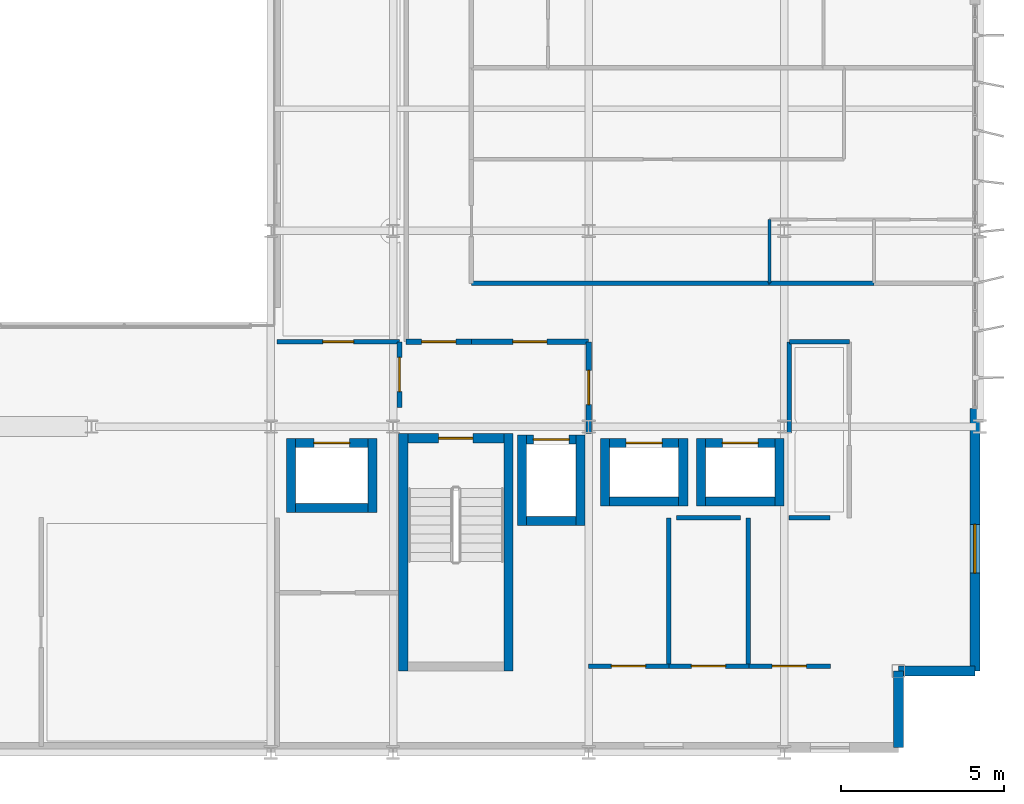
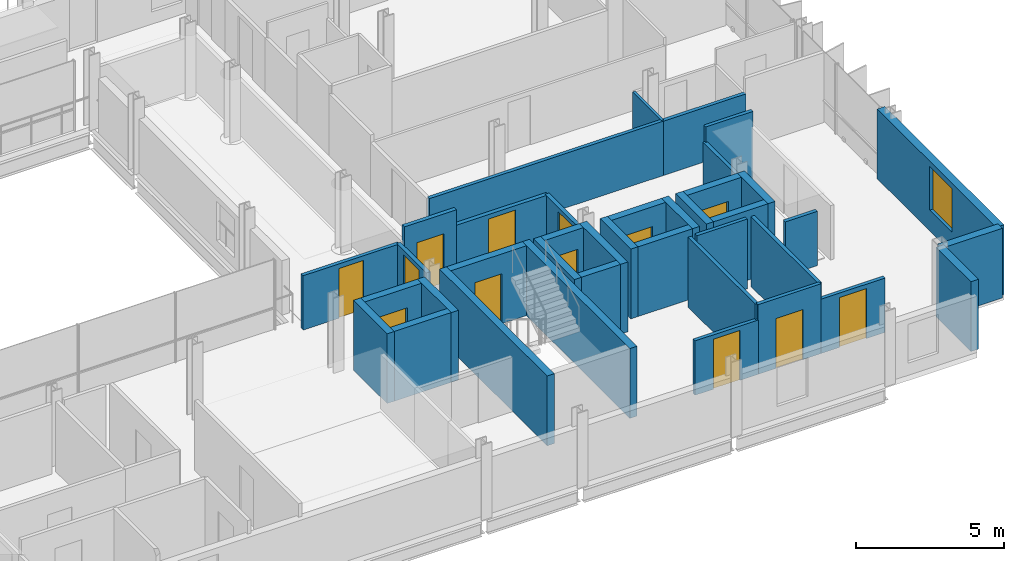
# One storey, part 32 of 40: 39 walls, 13 doors, 1 window, 14 openings.
"""IFC4 building model written with IfcOpenShell, lengths in metres."""

from ifc_helpers import new_model, si_unit, direction, frame, frame_2d, origin, place, context, subcontext, project, spatial, rectangle, extrude, material, layer, layer_set, type_object, element, fill, save


model = new_model("IFC4")

# Units and contexts
model_context = context("Model", 3, precision=1e-05, world=origin(), true_north=direction((0.0, 1.0)))
body_context = subcontext(model_context, "Body", "Model", "MODEL_VIEW")
ifc_project = project(units=[si_unit("LENGTHUNIT", "METRE"), si_unit("AREAUNIT", "SQUARE_METRE"), si_unit("VOLUMEUNIT", "CUBIC_METRE"), si_unit("PLANEANGLEUNIT", "RADIAN"), si_unit("MASSUNIT", "GRAM", prefix="KILO")], contexts=[model_context])

# Site, building, storey
site_placement = place(None, origin())
site = spatial("IfcSite", under=ifc_project, at=site_placement, CompositionType="ELEMENT")
building_placement = place(site_placement, origin())
building = spatial("IfcBuilding", under=site, at=building_placement, Name="Brevholm Reach", CompositionType="ELEMENT")
storey_placement = place(building_placement, frame((0.0, 0.0, 148.0)))
storey = spatial("IfcBuildingStorey", under=building, at=storey_placement, Name="L44", CompositionType="ELEMENT", Elevation=148.0)

# Walls
ifc_material_1 = material(Name="Concrete C50/60", Category="concrete")
ifc_layer_1 = layer(ifc_material_1, 0.280029296875)
ifc_layer_set_1 = layer_set([ifc_layer_1], Name="Concrete C50/60")
wall_type_1 = type_object("IfcWallType", Name="WAL-COR-280", PredefinedType="SHEAR", material=ifc_layer_set_1)
for number, where, z_axis, x_axis, name in (
    (1, (42.31005859375, 2.5, 0.0), (0.0, 0.0, 1.0), (0.0, 1.0, 0.0), "L44 Escape Stair ST-2 Core Wall W"),
    (2, (45.5400390625, 2.5, 0.0), (0.0, 0.0, 1.0), (0.0, 1.0, 0.0), "L44 Escape Stair ST-2 Core Wall E"),
):
    element("IfcWall", number, at=place(storey_placement, frame(where, z_axis=z_axis, x_axis=x_axis)), inside=storey, type_object=wall_type_1, Name=name, PredefinedType="SHEAR", context=body_context, shape_type="SweptSolid", body=[
        extrude(rectangle(XDim=7.280029296875, YDim=0.280029296875, at=frame_2d((3.64013671875, 0.0))), origin(), (0.0, 0.0, 1.0), 2.8798828125),
    ])

# Wall, opening, door
wall_1_placement = place(storey_placement, frame((45.39990234375, 9.639892578125, 0.0), z_axis=(0.0, 0.0, 1.0), x_axis=(-1.0, 0.0, 0.0)))
wall_1 = element("IfcWall", 3, at=wall_1_placement, inside=storey, type_object=wall_type_1, Name="L44 Escape Stair ST-2 Core Wall N", PredefinedType="SHEAR", context=body_context, shape_type="SweptSolid", body=[
    extrude(rectangle(XDim=2.949951171875, YDim=0.280029296875, at=frame_2d((1.47509765625, 0.0))), origin(), (0.0, 0.0, 1.0), 2.8798828125),
])
opening_1_placement = place(wall_1_placement, frame((0.949951171875, 0.0, 0.0)))
opening_1 = element("IfcOpeningElement", 4, at=opening_1_placement, cuts=wall_1, Name="Opening SD-ST-2", PredefinedType="OPENING", context=body_context, shape_type="SweptSolid", body=[
    extrude(rectangle(XDim=1.050048828125, YDim=2.06005859375, at=frame_2d((0.52490234375, 1.030029296875))), frame((0.0, 0.14990234375, 0.0), z_axis=(0.0, -1.0, 0.0), x_axis=(1.0, 0.0, 0.0)), (0.0, 0.0, 1.0), 0.300048828125),
])
ifc_material_2 = material(Name="Hardwood-Lipped Steel-Core Fire and Smoke Door", Category="steel")
door_type_1 = type_object("IfcDoorType", Name="DOR-INT-FD60S", OperationType="NOTDEFINED", PredefinedType="DOOR", material=ifc_material_2)
door_1_placement = place(opening_1_placement, origin())
door_1 = element("IfcDoor", 5, at=door_1_placement, inside=storey, type_object=door_type_1, Name="L44 Protected Stair ST-2 Lobby Door", OperationType="SINGLE_SWING_LEFT", OverallHeight=2.06005859375, OverallWidth=1.050048828125, PredefinedType="DOOR", context=body_context, shape_type="SweptSolid", body=[
    extrude(rectangle(XDim=1.050048828125, YDim=2.06005859375, at=frame_2d((0.52490234375, 1.030029296875))), frame((0.0, 0.02490234375, 0.0), z_axis=(0.0, -1.0, 0.0), x_axis=(1.0, 0.0, 0.0)), (0.0, 0.0, 1.0), 0.050048828125),
])
fill(opening_1, door_1)

# Walls
for number, where, z_axis, x_axis, name in (
    (6, (45.949951171875, 6.9599609375, 0.0), (0.0, 0.0, 1.0), (0.0, 1.0, 0.0), "L44 Lift FFL-2 Shaft Wall W"),
    (7, (47.75, 6.9599609375, 0.0), (0.0, 0.0, 1.0), (0.0, 1.0, 0.0), "L44 Lift FFL-2 Shaft Wall E"),
):
    element("IfcWall", number, at=place(storey_placement, frame(where, z_axis=z_axis, x_axis=x_axis)), inside=storey, type_object=wall_type_1, Name=name, PredefinedType="SHEAR", context=body_context, shape_type="SweptSolid", body=[
        extrude(rectangle(XDim=2.780029296875, YDim=0.280029296875, at=frame_2d((1.39013671875, 0.0))), origin(), (0.0, 0.0, 1.0), 2.8798828125),
    ])
wall_2_placement = place(storey_placement, frame((46.090087890625, 7.10009765625, 0.0), z_axis=(0.0, 0.0, 1.0), x_axis=(1.0, 0.0, 0.0)))
element("IfcWall", 8, at=wall_2_placement, inside=storey, type_object=wall_type_1, Name="L44 Lift FFL-2 Shaft Wall S", PredefinedType="SHEAR", context=body_context, shape_type="SweptSolid", body=[
    extrude(rectangle(XDim=1.52001953125, YDim=0.280029296875, at=frame_2d((0.760009765625, 0.0))), origin(), (0.0, 0.0, 1.0), 2.8798828125),
])

# Wall, opening, door
wall_3_placement = place(storey_placement, frame((46.090087890625, 9.60009765625, 0.0), z_axis=(0.0, 0.0, 1.0), x_axis=(1.0, 0.0, 0.0)))
wall_3 = element("IfcWall", 9, at=wall_3_placement, inside=storey, type_object=wall_type_1, Name="L44 Lift FFL-2 Shaft Wall N", PredefinedType="SHEAR", context=body_context, shape_type="SweptSolid", body=[
    extrude(rectangle(XDim=1.52001953125, YDim=0.280029296875, at=frame_2d((0.760009765625, 0.0))), origin(), (0.0, 0.0, 1.0), 2.8798828125),
])
opening_2_placement = place(wall_3_placement, frame((0.2099609375, 0.0, 0.0)))
opening_2 = element("IfcOpeningElement", 10, at=opening_2_placement, cuts=wall_3, Name="Opening LD-FFL-2", PredefinedType="OPENING", context=body_context, shape_type="SweptSolid", body=[
    extrude(rectangle(XDim=1.10009765625, YDim=2.06005859375, at=frame_2d((0.550048828125, 1.030029296875))), frame((0.0, 0.14990234375, 0.0), z_axis=(0.0, -1.0, 0.0), x_axis=(1.0, 0.0, 0.0)), (0.0, 0.0, 1.0), 0.300048828125),
])
ifc_material_3 = material(Name="Brushed Stainless Steel Fire-Rated Sliding Lift Door", Category="steel")
door_type_2 = type_object("IfcDoorType", Name="DOR-LFT-1100", OperationType="NOTDEFINED", PredefinedType="DOOR", material=ifc_material_3)
door_2_placement = place(opening_2_placement, origin())
door_2 = element("IfcDoor", 11, at=door_2_placement, inside=storey, type_object=door_type_2, Name="L44 Lift FFL-2 Sliding Landing Door", OperationType="SLIDING_TO_LEFT", OverallHeight=2.06005859375, OverallWidth=1.10009765625, PredefinedType="DOOR", context=body_context, shape_type="SweptSolid", body=[
    extrude(rectangle(XDim=1.10009765625, YDim=2.06005859375, at=frame_2d((0.550048828125, 1.030029296875))), frame((0.0, 0.02490234375, 0.0), z_axis=(0.0, -1.0, 0.0), x_axis=(1.0, 0.0, 0.0)), (0.0, 0.0, 1.0), 0.050048828125),
])
fill(opening_2, door_2)

# Walls
for number, where, z_axis, x_axis, name in (
    (12, (38.8701171875, 7.360107421875, 0.0), (0.0, 0.0, 1.0), (0.0, 1.0, 0.0), "L44 Lift PL-S1 Shaft Wall W"),
    (13, (41.3701171875, 7.360107421875, 0.0), (0.0, 0.0, 1.0), (0.0, 1.0, 0.0), "L44 Lift PL-S1 Shaft Wall E"),
):
    element("IfcWall", number, at=place(storey_placement, frame(where, z_axis=z_axis, x_axis=x_axis)), inside=storey, type_object=wall_type_1, Name=name, PredefinedType="SHEAR", context=body_context, shape_type="SweptSolid", body=[
        extrude(rectangle(XDim=2.27978515625, YDim=0.280029296875, at=frame_2d((1.139892578125, 0.0))), origin(), (0.0, 0.0, 1.0), 2.8798828125),
    ])
wall_4_placement = place(storey_placement, frame((39.010009765625, 7.5, 0.0), z_axis=(0.0, 0.0, 1.0), x_axis=(1.0, 0.0, 0.0)))
element("IfcWall", 14, at=wall_4_placement, inside=storey, type_object=wall_type_1, Name="L44 Lift PL-S1 Shaft Wall S", PredefinedType="SHEAR", context=body_context, shape_type="SweptSolid", body=[
    extrude(rectangle(XDim=2.219970703125, YDim=0.280029296875, at=frame_2d((1.10986328125, 0.0))), origin(), (0.0, 0.0, 1.0), 2.8798828125),
])

# Wall, opening, door
wall_5_placement = place(storey_placement, frame((39.010009765625, 9.5, 0.0), z_axis=(0.0, 0.0, 1.0), x_axis=(1.0, 0.0, 0.0)))
wall_5 = element("IfcWall", 15, at=wall_5_placement, inside=storey, type_object=wall_type_1, Name="L44 Lift PL-S1 Shaft Wall N", PredefinedType="SHEAR", context=body_context, shape_type="SweptSolid", body=[
    extrude(rectangle(XDim=2.219970703125, YDim=0.280029296875, at=frame_2d((1.10986328125, 0.0))), origin(), (0.0, 0.0, 1.0), 2.8798828125),
])
opening_3_placement = place(wall_5_placement, frame((0.56005859375, 0.0, 0.0)))
opening_3 = element("IfcOpeningElement", 16, at=opening_3_placement, cuts=wall_5, Name="Opening LD-PL-S1", PredefinedType="OPENING", context=body_context, shape_type="SweptSolid", body=[
    extrude(rectangle(XDim=1.10009765625, YDim=2.06005859375, at=frame_2d((0.550048828125, 1.030029296875))), frame((0.0, 0.14990234375, 0.0), z_axis=(0.0, -1.0, 0.0), x_axis=(1.0, 0.0, 0.0)), (0.0, 0.0, 1.0), 0.300048828125),
])
door_3_placement = place(opening_3_placement, origin())
door_3 = element("IfcDoor", 17, at=door_3_placement, inside=storey, type_object=door_type_2, Name="L44 Lift PL-S1 Sliding Landing Door", OperationType="SLIDING_TO_RIGHT", OverallHeight=2.06005859375, OverallWidth=1.10009765625, PredefinedType="DOOR", context=body_context, shape_type="SweptSolid", body=[
    extrude(rectangle(XDim=1.10009765625, YDim=2.06005859375, at=frame_2d((0.550048828125, 1.030029296875))), frame((0.0, 0.02490234375, 0.0), z_axis=(0.0, -1.0, 0.0), x_axis=(1.0, 0.0, 0.0)), (0.0, 0.0, 1.0), 0.050048828125),
])
fill(opening_3, door_3)

# Walls
for number, where, z_axis, x_axis, name in (
    (18, (48.5, 7.56005859375, 0.0), (0.0, 0.0, 1.0), (0.0, 1.0, 0.0), "L44 Lift PL-H1 Shaft Wall W"),
    (19, (50.89990234375, 7.56005859375, 0.0), (0.0, 0.0, 1.0), (0.0, 1.0, 0.0), "L44 Lift PL-H1 Shaft Wall E"),
):
    element("IfcWall", number, at=place(storey_placement, frame(where, z_axis=z_axis, x_axis=x_axis)), inside=storey, type_object=wall_type_1, Name=name, PredefinedType="SHEAR", context=body_context, shape_type="SweptSolid", body=[
        extrude(rectangle(XDim=2.079833984375, YDim=0.280029296875, at=frame_2d((1.0400390625, 0.0))), origin(), (0.0, 0.0, 1.0), 2.8798828125),
    ])
wall_6_placement = place(storey_placement, frame((48.639892578125, 7.699951171875, 0.0), z_axis=(0.0, 0.0, 1.0), x_axis=(1.0, 0.0, 0.0)))
element("IfcWall", 20, at=wall_6_placement, inside=storey, type_object=wall_type_1, Name="L44 Lift PL-H1 Shaft Wall S", PredefinedType="SHEAR", context=body_context, shape_type="SweptSolid", body=[
    extrude(rectangle(XDim=2.1201171875, YDim=0.280029296875, at=frame_2d((1.06005859375, 0.0))), origin(), (0.0, 0.0, 1.0), 2.8798828125),
])

# Wall, opening, door
wall_7_placement = place(storey_placement, frame((48.639892578125, 9.5, 0.0), z_axis=(0.0, 0.0, 1.0), x_axis=(1.0, 0.0, 0.0)))
wall_7 = element("IfcWall", 21, at=wall_7_placement, inside=storey, type_object=wall_type_1, Name="L44 Lift PL-H1 Shaft Wall N", PredefinedType="SHEAR", context=body_context, shape_type="SweptSolid", body=[
    extrude(rectangle(XDim=2.1201171875, YDim=0.280029296875, at=frame_2d((1.06005859375, 0.0))), origin(), (0.0, 0.0, 1.0), 2.8798828125),
])
opening_4_placement = place(wall_7_placement, frame((0.510009765625, 0.0, 0.0)))
opening_4 = element("IfcOpeningElement", 22, at=opening_4_placement, cuts=wall_7, Name="Opening LD-PL-H1", PredefinedType="OPENING", context=body_context, shape_type="SweptSolid", body=[
    extrude(rectangle(XDim=1.10009765625, YDim=2.06005859375, at=frame_2d((0.550048828125, 1.030029296875))), frame((0.0, 0.14990234375, 0.0), z_axis=(0.0, -1.0, 0.0), x_axis=(1.0, 0.0, 0.0)), (0.0, 0.0, 1.0), 0.300048828125),
])
door_4_placement = place(opening_4_placement, origin())
door_4 = element("IfcDoor", 23, at=door_4_placement, inside=storey, type_object=door_type_2, Name="L44 Lift PL-H1 Sliding Landing Door", OperationType="SLIDING_TO_LEFT", OverallHeight=2.06005859375, OverallWidth=1.10009765625, PredefinedType="DOOR", context=body_context, shape_type="SweptSolid", body=[
    extrude(rectangle(XDim=1.10009765625, YDim=2.06005859375, at=frame_2d((0.550048828125, 1.030029296875))), frame((0.0, 0.02490234375, 0.0), z_axis=(0.0, -1.0, 0.0), x_axis=(1.0, 0.0, 0.0)), (0.0, 0.0, 1.0), 0.050048828125),
])
fill(opening_4, door_4)

# Walls
for number, where, z_axis, x_axis, name in (
    (24, (51.449951171875, 7.56005859375, 0.0), (0.0, 0.0, 1.0), (0.0, 1.0, 0.0), "L44 Lift PL-H2 Shaft Wall W"),
    (25, (53.85009765625, 7.56005859375, 0.0), (0.0, 0.0, 1.0), (0.0, 1.0, 0.0), "L44 Lift PL-H2 Shaft Wall E"),
):
    element("IfcWall", number, at=place(storey_placement, frame(where, z_axis=z_axis, x_axis=x_axis)), inside=storey, type_object=wall_type_1, Name=name, PredefinedType="SHEAR", context=body_context, shape_type="SweptSolid", body=[
        extrude(rectangle(XDim=2.079833984375, YDim=0.280029296875, at=frame_2d((1.0400390625, 0.0))), origin(), (0.0, 0.0, 1.0), 2.8798828125),
    ])
wall_8_placement = place(storey_placement, frame((51.590087890625, 7.699951171875, 0.0), z_axis=(0.0, 0.0, 1.0), x_axis=(1.0, 0.0, 0.0)))
element("IfcWall", 26, at=wall_8_placement, inside=storey, type_object=wall_type_1, Name="L44 Lift PL-H2 Shaft Wall S", PredefinedType="SHEAR", context=body_context, shape_type="SweptSolid", body=[
    extrude(rectangle(XDim=2.119873046875, YDim=0.280029296875, at=frame_2d((1.06005859375, 0.0))), origin(), (0.0, 0.0, 1.0), 2.8798828125),
])

# Wall, opening, door
wall_9_placement = place(storey_placement, frame((51.590087890625, 9.5, 0.0), z_axis=(0.0, 0.0, 1.0), x_axis=(1.0, 0.0, 0.0)))
wall_9 = element("IfcWall", 27, at=wall_9_placement, inside=storey, type_object=wall_type_1, Name="L44 Lift PL-H2 Shaft Wall N", PredefinedType="SHEAR", context=body_context, shape_type="SweptSolid", body=[
    extrude(rectangle(XDim=2.119873046875, YDim=0.280029296875, at=frame_2d((1.06005859375, 0.0))), origin(), (0.0, 0.0, 1.0), 2.8798828125),
])
opening_5_placement = place(wall_9_placement, frame((0.510009765625, 0.0, 0.0)))
opening_5 = element("IfcOpeningElement", 28, at=opening_5_placement, cuts=wall_9, Name="Opening LD-PL-H2", PredefinedType="OPENING", context=body_context, shape_type="SweptSolid", body=[
    extrude(rectangle(XDim=1.10009765625, YDim=2.06005859375, at=frame_2d((0.550048828125, 1.030029296875))), frame((0.0, 0.14990234375, 0.0), z_axis=(0.0, -1.0, 0.0), x_axis=(1.0, 0.0, 0.0)), (0.0, 0.0, 1.0), 0.300048828125),
])
door_5_placement = place(opening_5_placement, origin())
door_5 = element("IfcDoor", 29, at=door_5_placement, inside=storey, type_object=door_type_2, Name="L44 Lift PL-H2 Sliding Landing Door", OperationType="SLIDING_TO_RIGHT", OverallHeight=2.06005859375, OverallWidth=1.10009765625, PredefinedType="DOOR", context=body_context, shape_type="SweptSolid", body=[
    extrude(rectangle(XDim=1.10009765625, YDim=2.06005859375, at=frame_2d((0.550048828125, 1.030029296875))), frame((0.0, 0.02490234375, 0.0), z_axis=(0.0, -1.0, 0.0), x_axis=(1.0, 0.0, 0.0)), (0.0, 0.0, 1.0), 0.050048828125),
])
fill(opening_5, door_5)

# Walls
ifc_material_4 = material(Name="Concrete C40/50", Category="concrete")
ifc_layer_2 = layer(ifc_material_4, 0.300048828125)
ifc_layer_set_2 = layer_set([ifc_layer_2], Name="Concrete C40/50")
wall_type_2 = type_object("IfcWallType", Name="WAL-EXT-300", PredefinedType="STANDARD", material=ifc_layer_set_2)
for number, where, z_axis, x_axis, name in (
    (30, (57.5, 0.14990234375, 0.0), (0.0, 0.0, 1.0), (0.0, 1.0, 0.0), "L44 Facade Wall WAL-L44-CSE1"),
    (31, (57.5, 2.5, 0.0), (0.0, 0.0, 1.0), (1.0, 0.0, 0.0), "L44 Facade Wall WAL-L44-CSE2"),
):
    element("IfcWall", number, at=place(storey_placement, frame(where, z_axis=z_axis, x_axis=x_axis)), inside=storey, type_object=wall_type_2, Name=name, PredefinedType="STANDARD", context=body_context, shape_type="SweptSolid", body=[
        extrude(rectangle(XDim=2.35009765625, YDim=0.300048828125, at=frame_2d((1.175048828125, 0.0))), origin(), (0.0, 0.0, 1.0), 2.8798828125),
    ])

# Wall, opening, window
wall_10_placement = place(storey_placement, frame((59.85009765625, 2.5, 0.0), z_axis=(0.0, 0.0, 1.0), x_axis=(0.0, 1.0, 0.0)))
wall_10 = element("IfcWall", 32, at=wall_10_placement, inside=storey, type_object=wall_type_2, Name="L44 Facade Wall WAL-L44-E-S", PredefinedType="STANDARD", context=body_context, shape_type="SweptSolid", body=[
    extrude(rectangle(XDim=8.050048828125, YDim=0.300048828125, at=frame_2d((4.02490234375, 0.0))), origin(), (0.0, 0.0, 1.0), 2.8798828125),
])
opening_6_placement = place(wall_10_placement, frame((3.0, 0.0, 0.860107421875)))
opening_6 = element("IfcOpeningElement", 33, at=opening_6_placement, cuts=wall_10, Name="Opening WN-05", PredefinedType="OPENING", context=body_context, shape_type="SweptSolid", body=[
    extrude(rectangle(XDim=1.5, YDim=1.800048828125, at=frame_2d((0.75, 0.89990234375))), frame((0.0, 0.159912109375, 0.0), z_axis=(0.0, -1.0, 0.0), x_axis=(1.0, 0.0, 0.0)), (0.0, 0.0, 1.0), 0.320068359375),
])
ifc_material_5 = material(Name="Dark Anodised Aluminium and Solar-Control IGU Glass", Category="aluminium")
window_type = type_object("IfcWindowType", Name="WIN-RES-1500", PartitioningType="SINGLE_PANEL", PredefinedType="WINDOW", material=ifc_material_5)
window_placement = place(opening_6_placement, origin())
window = element("IfcWindow", 34, at=window_placement, inside=storey, type_object=window_type, Name="L44 Window WIN-L44-ES-1", OverallHeight=1.800048828125, OverallWidth=1.5, PartitioningType="SINGLE_PANEL", PredefinedType="WINDOW", context=body_context, shape_type="SweptSolid", body=[
    extrude(rectangle(XDim=1.5, YDim=1.800048828125, at=frame_2d((0.75, 0.89990234375))), frame((0.0, 0.030029296875, 0.0), z_axis=(0.0, -1.0, 0.0), x_axis=(1.0, 0.0, 0.0)), (0.0, 0.0, 1.0), 0.06005859375),
])
fill(opening_6, window)

# Wall
ifc_material_6 = material(Name="Moisture-Resistant Acoustic Gypsum Stud Partition 100 mm", Category="gypsum")
ifc_layer_3 = layer(ifc_material_6, 0.10009765625)
ifc_layer_set_3 = layer_set([ifc_layer_3], Name="Moisture-Resistant Acoustic Gypsum Stud Partition 100 mm")
wall_type_3 = type_object("IfcWallType", Name="WAL-PRT-100", PredefinedType="PARTITIONING", material=ifc_layer_set_3)
wall_11_placement = place(storey_placement, frame((53.550048828125, 14.404052734375, 0.0), z_axis=(0.0, 0.0, 1.0), x_axis=(0.0, 1.0, 0.0)))
element("IfcWall", 35, at=wall_11_placement, inside=storey, type_object=wall_type_3, Name="L44 Internal Partition 101", PredefinedType="PARTITIONING", context=body_context, shape_type="SweptSolid", body=[
    extrude(rectangle(XDim=1.946044921875, YDim=0.10009765625, at=frame_2d((0.97314453125, 0.0))), origin(), (0.0, 0.0, 1.0), 2.242919921875),
])

# Wall, opening, door
ifc_material_7 = material(Name="Twin-Stud Acoustic Fire-Rated Gypsum Partition 140 mm", Category="gypsum")
ifc_layer_4 = layer(ifc_material_7, 0.139892578125)
ifc_layer_set_4 = layer_set([ifc_layer_4], Name="Twin-Stud Acoustic Fire-Rated Gypsum Partition 140 mm")
wall_type_4 = type_object("IfcWallType", Name="WAL-PRT-140", PredefinedType="PARTITIONING", material=ifc_layer_set_4)
wall_12_placement = place(storey_placement, frame((47.98876953125, 2.64990234375, 0.0), z_axis=(0.0, 0.0, 1.0), x_axis=(1.0, 0.0, 0.0)))
wall_12 = element("IfcWall", 36, at=wall_12_placement, inside=storey, type_object=wall_type_4, Name="L44 Internal Partition 017", PredefinedType="PARTITIONING", context=body_context, shape_type="SweptSolid", body=[
    extrude(rectangle(XDim=2.472412109375, YDim=0.139892578125, at=frame_2d((1.236328125, 0.0))), origin(), (0.0, 0.0, 1.0), 2.242919921875),
])
opening_7_placement = place(wall_12_placement, frame((0.711181640625, 0.0, 0.0)))
opening_7 = element("IfcOpeningElement", 37, at=opening_7_placement, cuts=wall_12, Name="Opening FD-01", PredefinedType="OPENING", context=body_context, shape_type="SweptSolid", body=[
    extrude(rectangle(XDim=1.050048828125, YDim=2.06005859375, at=frame_2d((0.52490234375, 1.030029296875))), frame((0.0, 0.079833984375, 0.0), z_axis=(0.0, -1.0, 0.0), x_axis=(1.0, 0.0, 0.0)), (0.0, 0.0, 1.0), 0.159912109375),
])
door_6_placement = place(opening_7_placement, origin())
door_6 = element("IfcDoor", 38, at=door_6_placement, inside=storey, type_object=door_type_1, Name="L44 Internal Door 008", OperationType="SINGLE_SWING_LEFT", OverallHeight=2.06005859375, OverallWidth=1.050048828125, PredefinedType="DOOR", context=body_context, shape_type="SweptSolid", body=[
    extrude(rectangle(XDim=1.050048828125, YDim=2.06005859375, at=frame_2d((0.52490234375, 1.030029296875))), frame((0.0, 0.02490234375, 0.0), z_axis=(0.0, -1.0, 0.0), x_axis=(1.0, 0.0, 0.0)), (0.0, 0.0, 1.0), 0.050048828125),
])
fill(opening_7, door_6)

wall_13_placement = place(storey_placement, frame((50.442626953125, 2.64990234375, 0.0), z_axis=(0.0, 0.0, 1.0), x_axis=(1.0, 0.0, 0.0)))
wall_13 = element("IfcWall", 39, at=wall_13_placement, inside=storey, type_object=wall_type_4, Name="L44 Internal Partition 018", PredefinedType="PARTITIONING", context=body_context, shape_type="SweptSolid", body=[
    extrude(rectangle(XDim=2.46875, YDim=0.139892578125, at=frame_2d((1.234375, 0.0))), origin(), (0.0, 0.0, 1.0), 2.8798828125),
])
opening_8_placement = place(wall_13_placement, frame((0.709228515625, 0.0, 0.0)))
opening_8 = element("IfcOpeningElement", 40, at=opening_8_placement, cuts=wall_13, Name="Opening FD-01", PredefinedType="OPENING", context=body_context, shape_type="SweptSolid", body=[
    extrude(rectangle(XDim=1.050048828125, YDim=2.06005859375, at=frame_2d((0.52490234375, 1.030029296875))), frame((0.0, 0.079833984375, 0.0), z_axis=(0.0, -1.0, 0.0), x_axis=(1.0, 0.0, 0.0)), (0.0, 0.0, 1.0), 0.159912109375),
])
door_7_placement = place(opening_8_placement, origin())
door_7 = element("IfcDoor", 41, at=door_7_placement, inside=storey, type_object=door_type_1, Name="L44 Internal Door 009", OperationType="SINGLE_SWING_RIGHT", OverallHeight=2.06005859375, OverallWidth=1.050048828125, PredefinedType="DOOR", context=body_context, shape_type="SweptSolid", body=[
    extrude(rectangle(XDim=1.050048828125, YDim=2.06005859375, at=frame_2d((0.52490234375, 1.030029296875))), frame((0.0, 0.02490234375, 0.0), z_axis=(0.0, -1.0, 0.0), x_axis=(1.0, 0.0, 0.0)), (0.0, 0.0, 1.0), 0.050048828125),
])
fill(opening_8, door_7)

wall_14_placement = place(storey_placement, frame((52.892578125, 2.64990234375, 0.0), z_axis=(0.0, 0.0, 1.0), x_axis=(1.0, 0.0, 0.0)))
wall_14 = element("IfcWall", 42, at=wall_14_placement, inside=storey, type_object=wall_type_4, Name="L44 Internal Partition 019", PredefinedType="PARTITIONING", context=body_context, shape_type="SweptSolid", body=[
    extrude(rectangle(XDim=2.518798828125, YDim=0.139892578125, at=frame_2d((1.25927734375, 0.0))), origin(), (0.0, 0.0, 1.0), 2.242919921875),
])
opening_9_placement = place(wall_14_placement, frame((0.734375, 0.0, 0.0)))
opening_9 = element("IfcOpeningElement", 43, at=opening_9_placement, cuts=wall_14, Name="Opening FD-01", PredefinedType="OPENING", context=body_context, shape_type="SweptSolid", body=[
    extrude(rectangle(XDim=1.050048828125, YDim=2.06005859375, at=frame_2d((0.52490234375, 1.030029296875))), frame((0.0, 0.079833984375, 0.0), z_axis=(0.0, -1.0, 0.0), x_axis=(1.0, 0.0, 0.0)), (0.0, 0.0, 1.0), 0.159912109375),
])
door_8_placement = place(opening_9_placement, origin())
door_8 = element("IfcDoor", 44, at=door_8_placement, inside=storey, type_object=door_type_1, Name="L44 Internal Door 010", OperationType="SINGLE_SWING_LEFT", OverallHeight=2.06005859375, OverallWidth=1.050048828125, PredefinedType="DOOR", context=body_context, shape_type="SweptSolid", body=[
    extrude(rectangle(XDim=1.050048828125, YDim=2.06005859375, at=frame_2d((0.52490234375, 1.030029296875))), frame((0.0, 0.02490234375, 0.0), z_axis=(0.0, -1.0, 0.0), x_axis=(1.0, 0.0, 0.0)), (0.0, 0.0, 1.0), 0.050048828125),
])
fill(opening_9, door_8)

# Walls
for number, where, z_axis, x_axis, name in (
    (45, (50.449951171875, 2.654052734375, 0.0), (0.0, 0.0, 1.0), (0.0, 1.0, 0.0), "L44 Internal Partition 025"),
    (46, (52.89990234375, 2.654052734375, 0.0), (0.0, 0.0, 1.0), (0.0, 1.0, 0.0), "L44 Internal Partition 026"),
):
    element("IfcWall", number, at=place(storey_placement, frame(where, z_axis=z_axis, x_axis=x_axis)), inside=storey, type_object=wall_type_4, Name=name, PredefinedType="PARTITIONING", context=body_context, shape_type="SweptSolid", body=[
        extrude(rectangle(XDim=4.5458984375, YDim=0.139892578125, at=frame_2d((2.27294921875, 0.0))), origin(), (0.0, 0.0, 1.0), 2.8798828125),
    ])
wall_15_placement = place(storey_placement, frame((54.138671875, 7.199951171875, 0.0), z_axis=(0.0, 0.0, 1.0), x_axis=(1.0, 0.0, 0.0)))
element("IfcWall", 47, at=wall_15_placement, inside=storey, type_object=wall_type_4, Name="L44 Internal Partition 027", PredefinedType="PARTITIONING", context=body_context, shape_type="SweptSolid", body=[
    extrude(rectangle(XDim=1.26123046875, YDim=0.139892578125, at=frame_2d((0.630615234375, 0.0))), origin(), (0.0, 0.0, 1.0), 2.242919921875),
])
wall_16_placement = place(storey_placement, frame((54.14990234375, 9.800048828125, 0.0), z_axis=(0.0, 0.0, 1.0), x_axis=(0.0, 1.0, 0.0)))
element("IfcWall", 48, at=wall_16_placement, inside=storey, type_object=wall_type_4, Name="L44 Internal Partition 038", PredefinedType="PARTITIONING", context=body_context, shape_type="SweptSolid", body=[
    extrude(rectangle(XDim=2.800048828125, YDim=0.139892578125, at=frame_2d((1.39990234375, 0.0))), origin(), (0.0, 0.0, 1.0), 2.242919921875),
])
wall_17_placement = place(storey_placement, frame((54.154052734375, 12.60009765625, 0.0), z_axis=(0.0, 0.0, 1.0), x_axis=(1.0, 0.0, 0.0)))
element("IfcWall", 49, at=wall_17_placement, inside=storey, type_object=wall_type_4, Name="L44 Internal Partition 039", PredefinedType="PARTITIONING", context=body_context, shape_type="SweptSolid", body=[
    extrude(rectangle(XDim=1.842041015625, YDim=0.139892578125, at=frame_2d((0.9208984375, 0.0))), origin(), (0.0, 0.0, 1.0), 2.8798828125),
])

# Wall, opening, door
wall_18_placement = place(storey_placement, frame((38.438720703125, 12.60009765625, 0.0), z_axis=(0.0, 0.0, 1.0), x_axis=(1.0, 0.0, 0.0)))
wall_18 = element("IfcWall", 50, at=wall_18_placement, inside=storey, type_object=wall_type_4, Name="L44 Internal Partition 040", PredefinedType="PARTITIONING", context=body_context, shape_type="SweptSolid", body=[
    extrude(rectangle(XDim=3.75732421875, YDim=0.139892578125, at=frame_2d((1.878662109375, 0.0))), origin(), (0.0, 0.0, 1.0), 2.242919921875),
])
opening_10_placement = place(wall_18_placement, frame((1.40380859375, 0.0, 0.0)))
opening_10 = element("IfcOpeningElement", 51, at=opening_10_placement, cuts=wall_18, Name="Opening ID-30", PredefinedType="OPENING", context=body_context, shape_type="SweptSolid", body=[
    extrude(rectangle(XDim=0.949951171875, YDim=2.050048828125, at=frame_2d((0.47509765625, 1.02490234375))), frame((0.0, 0.079833984375, 0.0), z_axis=(0.0, -1.0, 0.0), x_axis=(1.0, 0.0, 0.0)), (0.0, 0.0, 1.0), 0.159912109375),
])
ifc_material_8 = material(Name="European Oak Veneered Solid-Core Fire Entrance Door", Category="timber")
door_type_3 = type_object("IfcDoorType", Name="DOR-FLT-FD30S", OperationType="NOTDEFINED", PredefinedType="DOOR", material=ifc_material_8)
door_9_placement = place(opening_10_placement, origin())
door_9 = element("IfcDoor", 52, at=door_9_placement, inside=storey, type_object=door_type_3, Name="L44 Internal Door 020", OperationType="SINGLE_SWING_LEFT", OverallHeight=2.050048828125, OverallWidth=0.949951171875, PredefinedType="DOOR", context=body_context, shape_type="SweptSolid", body=[
    extrude(rectangle(XDim=0.949951171875, YDim=2.050048828125, at=frame_2d((0.47509765625, 1.02490234375))), frame((0.0, 0.02490234375, 0.0), z_axis=(0.0, -1.0, 0.0), x_axis=(1.0, 0.0, 0.0)), (0.0, 0.0, 1.0), 0.050048828125),
])
fill(opening_10, door_9)

# Walls
wall_19_placement = place(storey_placement, frame((53.538818359375, 14.39990234375, 0.0), z_axis=(0.0, 0.0, 1.0), x_axis=(1.0, 0.0, 0.0)))
element("IfcWall", 53, at=wall_19_placement, inside=storey, type_object=wall_type_4, Name="L44 Internal Partition 054", PredefinedType="PARTITIONING", context=body_context, shape_type="SweptSolid", body=[
    extrude(rectangle(XDim=3.218505859375, YDim=0.139892578125, at=frame_2d((1.609375, 0.0))), origin(), (0.0, 0.0, 1.0), 2.242919921875),
])
wall_20_placement = place(storey_placement, frame((44.404052734375, 14.39990234375, 0.0), z_axis=(0.0, 0.0, 1.0), x_axis=(1.0, 0.0, 0.0)))
element("IfcWall", 54, at=wall_20_placement, inside=storey, type_object=wall_type_4, Name="L44 Internal Partition 055", PredefinedType="PARTITIONING", context=body_context, shape_type="SweptSolid", body=[
    extrude(rectangle(XDim=9.1533203125, YDim=0.139892578125, at=frame_2d((4.57666015625, 0.0))), origin(), (0.0, 0.0, 1.0), 2.242919921875),
])
wall_21_placement = place(storey_placement, frame((50.68994140625, 7.199951171875, 0.0), z_axis=(0.0, 0.0, 1.0), x_axis=(1.0, 0.0, 0.0)))
element("IfcWall", 55, at=wall_21_placement, inside=storey, type_object=wall_type_4, Name="L44 Internal Partition 124", PredefinedType="PARTITIONING", context=body_context, shape_type="SweptSolid", body=[
    extrude(rectangle(XDim=1.969970703125, YDim=0.139892578125, at=frame_2d((0.98486328125, 0.0))), origin(), (0.0, 0.0, 1.0), 2.8798828125),
])

# Wall, opening, door
ifc_material_9 = material(Name="Twin-Frame Fire-Rated Gypsum Board and Mineral Wool 160 mm", Category="gypsum")
ifc_layer_5 = layer(ifc_material_9, 0.159912109375)
ifc_layer_set_5 = layer_set([ifc_layer_5], Name="Twin-Frame Fire-Rated Gypsum Board and Mineral Wool 160 mm")
wall_type_5 = type_object("IfcWallType", Name="WAL-PRT-160", PredefinedType="PARTITIONING", material=ifc_layer_set_5)
wall_22_placement = place(storey_placement, frame((48.0, 9.788818359375, 0.0), z_axis=(0.0, 0.0, 1.0), x_axis=(0.0, 1.0, 0.0)))
wall_22 = element("IfcWall", 56, at=wall_22_placement, inside=storey, type_object=wall_type_5, Name="L44 Internal Partition 034", PredefinedType="PARTITIONING", context=body_context, shape_type="SweptSolid", body=[
    extrude(rectangle(XDim=2.811279296875, YDim=0.159912109375, at=frame_2d((1.40576171875, 0.0))), origin(), (0.0, 0.0, 1.0), 2.242919921875),
])
opening_11_placement = place(wall_22_placement, frame((0.880615234375, 0.0, 0.0)))
opening_11 = element("IfcOpeningElement", 57, at=opening_11_placement, cuts=wall_22, Name="Opening FD-01", PredefinedType="OPENING", context=body_context, shape_type="SweptSolid", body=[
    extrude(rectangle(XDim=1.050048828125, YDim=2.06005859375, at=frame_2d((0.52490234375, 1.030029296875))), frame((0.0, 0.08984375, 0.0), z_axis=(0.0, -1.0, 0.0), x_axis=(1.0, 0.0, 0.0)), (0.0, 0.0, 1.0), 0.179931640625),
])
door_10_placement = place(opening_11_placement, origin())
door_10 = element("IfcDoor", 58, at=door_10_placement, inside=storey, type_object=door_type_1, Name="L44 Internal Door 016", OperationType="SINGLE_SWING_LEFT", OverallHeight=2.06005859375, OverallWidth=1.050048828125, PredefinedType="DOOR", context=body_context, shape_type="SweptSolid", body=[
    extrude(rectangle(XDim=1.050048828125, YDim=2.06005859375, at=frame_2d((0.52490234375, 1.030029296875))), frame((0.0, 0.02490234375, 0.0), z_axis=(0.0, -1.0, 0.0), x_axis=(1.0, 0.0, 0.0)), (0.0, 0.0, 1.0), 0.050048828125),
])
fill(opening_11, door_10)

wall_23_placement = place(storey_placement, frame((42.199951171875, 10.588623046875, 0.0), z_axis=(0.0, 0.0, 1.0), x_axis=(0.0, 1.0, 0.0)))
wall_23 = element("IfcWall", 59, at=wall_23_placement, inside=storey, type_object=wall_type_5, Name="L44 Internal Partition 035", PredefinedType="PARTITIONING", context=body_context, shape_type="SweptSolid", body=[
    extrude(rectangle(XDim=2.011474609375, YDim=0.159912109375, at=frame_2d((1.005859375, 0.0))), origin(), (0.0, 0.0, 1.0), 2.242919921875),
])
opening_12_placement = place(wall_23_placement, frame((0.480712890625, 0.0, 0.0)))
opening_12 = element("IfcOpeningElement", 60, at=opening_12_placement, cuts=wall_23, Name="Opening FD-01", PredefinedType="OPENING", context=body_context, shape_type="SweptSolid", body=[
    extrude(rectangle(XDim=1.050048828125, YDim=2.06005859375, at=frame_2d((0.52490234375, 1.030029296875))), frame((0.0, 0.08984375, 0.0), z_axis=(0.0, -1.0, 0.0), x_axis=(1.0, 0.0, 0.0)), (0.0, 0.0, 1.0), 0.179931640625),
])
door_11_placement = place(opening_12_placement, origin())
door_11 = element("IfcDoor", 61, at=door_11_placement, inside=storey, type_object=door_type_1, Name="L44 Internal Door 017", OperationType="SINGLE_SWING_RIGHT", OverallHeight=2.06005859375, OverallWidth=1.050048828125, PredefinedType="DOOR", context=body_context, shape_type="SweptSolid", body=[
    extrude(rectangle(XDim=1.050048828125, YDim=2.06005859375, at=frame_2d((0.52490234375, 1.030029296875))), frame((0.0, 0.02490234375, 0.0), z_axis=(0.0, -1.0, 0.0), x_axis=(1.0, 0.0, 0.0)), (0.0, 0.0, 1.0), 0.050048828125),
])
fill(opening_12, door_11)

wall_24_placement = place(storey_placement, frame((42.388671875, 12.60009765625, 0.0), z_axis=(0.0, 0.0, 1.0), x_axis=(1.0, 0.0, 0.0)))
wall_24 = element("IfcWall", 62, at=wall_24_placement, inside=storey, type_object=wall_type_5, Name="L44 Internal Partition 036", PredefinedType="PARTITIONING", context=body_context, shape_type="SweptSolid", body=[
    extrude(rectangle(XDim=2.022705078125, YDim=0.159912109375, at=frame_2d((1.01123046875, 0.0))), origin(), (0.0, 0.0, 1.0), 2.8798828125),
])
opening_13_placement = place(wall_24_placement, frame((0.486328125, 0.0, 0.0)))
opening_13 = element("IfcOpeningElement", 63, at=opening_13_placement, cuts=wall_24, Name="Opening FD-01", PredefinedType="OPENING", context=body_context, shape_type="SweptSolid", body=[
    extrude(rectangle(XDim=1.050048828125, YDim=2.06005859375, at=frame_2d((0.52490234375, 1.030029296875))), frame((0.0, 0.08984375, 0.0), z_axis=(0.0, -1.0, 0.0), x_axis=(1.0, 0.0, 0.0)), (0.0, 0.0, 1.0), 0.179931640625),
])
door_12_placement = place(opening_13_placement, origin())
door_12 = element("IfcDoor", 64, at=door_12_placement, inside=storey, type_object=door_type_1, Name="L44 Internal Door 018", OperationType="SINGLE_SWING_LEFT", OverallHeight=2.06005859375, OverallWidth=1.050048828125, PredefinedType="DOOR", context=body_context, shape_type="SweptSolid", body=[
    extrude(rectangle(XDim=1.050048828125, YDim=2.06005859375, at=frame_2d((0.52490234375, 1.030029296875))), frame((0.0, 0.02490234375, 0.0), z_axis=(0.0, -1.0, 0.0), x_axis=(1.0, 0.0, 0.0)), (0.0, 0.0, 1.0), 0.050048828125),
])
fill(opening_13, door_12)

wall_25_placement = place(storey_placement, frame((44.392578125, 12.60009765625, 0.0), z_axis=(0.0, 0.0, 1.0), x_axis=(1.0, 0.0, 0.0)))
wall_25 = element("IfcWall", 65, at=wall_25_placement, inside=storey, type_object=wall_type_5, Name="L44 Internal Partition 037", PredefinedType="PARTITIONING", context=body_context, shape_type="SweptSolid", body=[
    extrude(rectangle(XDim=3.607421875, YDim=0.159912109375, at=frame_2d((1.8037109375, 0.0))), origin(), (0.0, 0.0, 1.0), 2.242919921875),
])
opening_14_placement = place(wall_25_placement, frame((1.27880859375, 0.0, 0.0)))
opening_14 = element("IfcOpeningElement", 66, at=opening_14_placement, cuts=wall_25, Name="Opening FD-01", PredefinedType="OPENING", context=body_context, shape_type="SweptSolid", body=[
    extrude(rectangle(XDim=1.050048828125, YDim=2.06005859375, at=frame_2d((0.52490234375, 1.030029296875))), frame((0.0, 0.08984375, 0.0), z_axis=(0.0, -1.0, 0.0), x_axis=(1.0, 0.0, 0.0)), (0.0, 0.0, 1.0), 0.179931640625),
])
door_13_placement = place(opening_14_placement, origin())
door_13 = element("IfcDoor", 67, at=door_13_placement, inside=storey, type_object=door_type_1, Name="L44 Internal Door 019", OperationType="SINGLE_SWING_RIGHT", OverallHeight=2.06005859375, OverallWidth=1.050048828125, PredefinedType="DOOR", context=body_context, shape_type="SweptSolid", body=[
    extrude(rectangle(XDim=1.050048828125, YDim=2.06005859375, at=frame_2d((0.52490234375, 1.030029296875))), frame((0.0, 0.02490234375, 0.0), z_axis=(0.0, -1.0, 0.0), x_axis=(1.0, 0.0, 0.0)), (0.0, 0.0, 1.0), 0.050048828125),
])
fill(opening_14, door_13)

save(model, "model.ifc")
